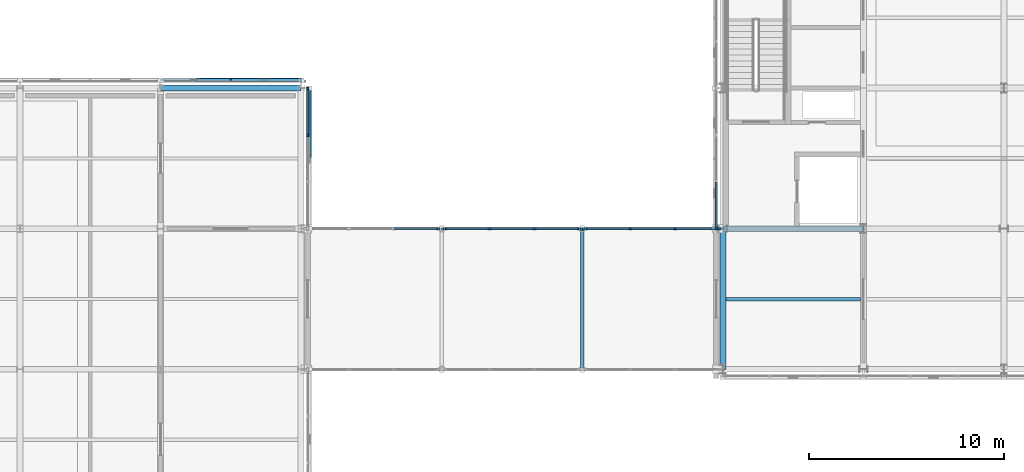
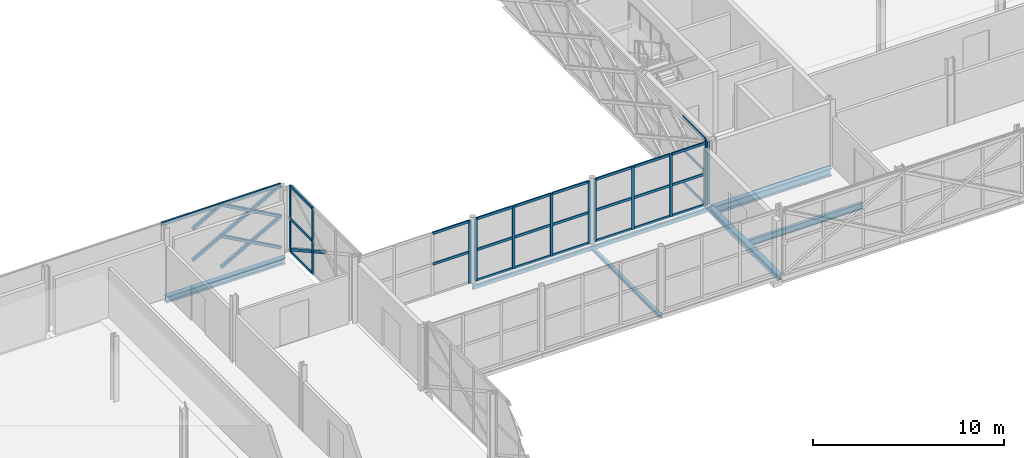
# One storey, part 56 of 146: 48 members, 7 beams, 5 elements without a shape of their own.
"""IFC4 building model written with IfcOpenShell, lengths in metres."""

from ifc_helpers import new_model, si_unit, direction, frame, origin, origin_2d, place, context, subcontext, project, spatial, rectangle, hollow_rectangle, i_section, extrude, material, material_profile, profile_set, type_object, element, aggregate, save


model = new_model("IFC4")

# Units and contexts
model_context = context("Model", 3, precision=1e-05, world=origin(), true_north=direction((0.0, 1.0)))
body_context = subcontext(model_context, "Body", "Model", "MODEL_VIEW")
ifc_project = project(units=[si_unit("LENGTHUNIT", "METRE"), si_unit("AREAUNIT", "SQUARE_METRE"), si_unit("VOLUMEUNIT", "CUBIC_METRE"), si_unit("PLANEANGLEUNIT", "RADIAN"), si_unit("MASSUNIT", "GRAM", prefix="KILO")], contexts=[model_context])

# Site, building, storey
site_placement = place(None, origin())
site = spatial("IfcSite", under=ifc_project, at=site_placement, CompositionType="ELEMENT")
building_placement = place(site_placement, origin())
building = spatial("IfcBuilding", under=site, at=building_placement, Name="Zlatovets Crest Museum", CompositionType="ELEMENT")
storey_placement = place(building_placement, frame((0.0, 0.0, 4.5)))
storey = spatial("IfcBuildingStorey", under=building, at=storey_placement, Name="L01", CompositionType="ELEMENT", Elevation=4.5)

# Beams
ifc_material_1 = material(Name="Structural steel S355J2", Category="steel")
ifc_material_profile_1 = material_profile(ifc_material_1, i_section(OverallWidth=0.300048828125, OverallDepth=0.489990234375, WebThickness=0.011962890625, FlangeThickness=0.02294921875, FilletRadius=0.027099609375, at=origin_2d()), Name="HEA 500")
ifc_profile_set_1 = profile_set([ifc_material_profile_1], Name="Structural steel S355J2")
beam_type_1 = type_object("IfcBeamType", Name="Beam_B-01", PredefinedType="BEAM", material=ifc_profile_set_1)
beam_1_placement = place(storey_placement, frame((57.60009765625, 93.60009765625, -0.465087890625), z_axis=(1.0, 0.0, 0.0), x_axis=(0.0, 1.0, 0.0)))
element("IfcBeam", 1, at=beam_1_placement, inside=storey, type_object=beam_type_1, Name="V1 L01 Primary Girder B-01", PredefinedType="BEAM", context=body_context, shape_type="SweptSolid", body=[
    extrude(i_section(OverallWidth=0.300048828125, OverallDepth=0.489990234375, WebThickness=0.011962890625, FlangeThickness=0.02294921875, FilletRadius=0.027099609375, at=origin_2d()), origin(), (0.0, 0.0, 1.0), 7.199951171875),
])
ifc_material_profile_2 = material_profile(ifc_material_1, i_section(OverallWidth=0.300048828125, OverallDepth=0.389892578125, WebThickness=0.010986328125, FlangeThickness=0.01904296875, FilletRadius=0.027099609375, at=origin_2d()), Name="HEA 400")
ifc_profile_set_2 = profile_set([ifc_material_profile_2], Name="Structural steel S355J2")
beam_type_2 = type_object("IfcBeamType", Name="Beam_B-02", PredefinedType="BEAM", material=ifc_profile_set_2)
beam_2_placement = place(storey_placement, frame((28.800048828125, 100.800048828125, -0.4150390625), z_axis=(1.0, 0.0, 0.0), x_axis=(0.0, 1.0, 0.0)))
element("IfcBeam", 2, at=beam_2_placement, inside=storey, type_object=beam_type_2, Name="V4 L01 Primary Girder B-02", PredefinedType="BEAM", context=body_context, shape_type="SweptSolid", body=[
    extrude(i_section(OverallWidth=0.300048828125, OverallDepth=0.389892578125, WebThickness=0.010986328125, FlangeThickness=0.01904296875, FilletRadius=0.027099609375, at=origin_2d()), origin(), (0.0, 0.0, 1.0), 7.199951171875),
])
ifc_material_profile_3 = material_profile(ifc_material_1, i_section(OverallWidth=0.300048828125, OverallDepth=0.35009765625, WebThickness=0.010009765625, FlangeThickness=0.017578125, FilletRadius=0.027099609375, at=origin_2d()), Name="HEA 360")
ifc_profile_set_3 = profile_set([ifc_material_profile_3], Name="Structural steel S355J2")
beam_type_3 = type_object("IfcBeamType", Name="Beam_B-03", PredefinedType="BEAM", material=ifc_profile_set_3)
beam_3_placement = place(storey_placement, frame((57.60009765625, 86.39990234375, -0.39501953125), z_axis=(0.0, 1.0, 0.0), x_axis=(-1.0, 0.0, 0.0)))
element("IfcBeam", 3, at=beam_3_placement, inside=storey, type_object=beam_type_3, Name="V1 L01 Grid Beam B-03", PredefinedType="BEAM", context=body_context, shape_type="SweptSolid", body=[
    extrude(i_section(OverallWidth=0.300048828125, OverallDepth=0.35009765625, WebThickness=0.010009765625, FlangeThickness=0.017578125, FilletRadius=0.027099609375, at=origin_2d()), origin(), (0.0, 0.0, 1.0), 7.2001953125),
])
ifc_material_profile_4 = material_profile(ifc_material_1, i_section(OverallWidth=0.199951171875, OverallDepth=0.18994140625, WebThickness=0.006591796875, FlangeThickness=0.010009765625, FilletRadius=0.01806640625, at=origin_2d()), Name="HEA 200")
ifc_profile_set_4 = profile_set([ifc_material_profile_4], Name="Structural steel S355J2")
beam_type_4 = type_object("IfcBeamType", Name="Beam_B-15", PredefinedType="BEAM", material=ifc_profile_set_4)
beam_4_placement = place(storey_placement, frame((50.39990234375, 86.39990234375, -0.344970703125), z_axis=(0.0, 1.0, 0.0), x_axis=(-1.0, 0.0, 0.0)))
element("IfcBeam", 4, at=beam_4_placement, inside=storey, type_object=beam_type_4, Name="Northwest Crest Glazed Link Bridge L01 Cross Beam", PredefinedType="BEAM", context=body_context, shape_type="SweptSolid", body=[
    extrude(i_section(OverallWidth=0.199951171875, OverallDepth=0.18994140625, WebThickness=0.006591796875, FlangeThickness=0.010009765625, FilletRadius=0.01806640625, at=origin_2d()), origin(), (0.0, 0.0, 1.0), 7.2001953125),
])
ifc_material_profile_5 = material_profile(ifc_material_1, hollow_rectangle(XDim=0.14990234375, YDim=0.25, WallThickness=0.010009765625, InnerFilletRadius=0.010009765625, OuterFilletRadius=0.02001953125, at=origin_2d()), Name="RHS 150x250x10.0")
ifc_profile_set_5 = profile_set([ifc_material_profile_5], Name="Structural steel S355J2")
beam_type_5 = type_object("IfcBeamType", Name="Beam_BRG-03", PredefinedType="BEAM", material=ifc_profile_set_5)
beam_5_placement = place(storey_placement, frame((43.199951171875, 93.60009765625, -0.344970703125), z_axis=(1.0, 0.0, 0.0), x_axis=(0.0, 1.0, 0.0)))
element("IfcBeam", 5, at=beam_5_placement, inside=storey, type_object=beam_type_5, Name="Northwest Crest Glazed Link Bridge L01 Stringer Beam", PredefinedType="BEAM", context=body_context, shape_type="SweptSolid", body=[
    extrude(hollow_rectangle(XDim=0.14990234375, YDim=0.25, WallThickness=0.010009765625, InnerFilletRadius=0.010009765625, OuterFilletRadius=0.02001953125, at=origin_2d()), origin(), (0.0, 0.0, 1.0), 7.199951171875),
])
beam_6_placement = place(storey_placement, frame((50.39990234375, 93.60009765625, -0.344970703125), z_axis=(1.0, 0.0, 0.0), x_axis=(0.0, 1.0, 0.0)))
element("IfcBeam", 6, at=beam_6_placement, inside=storey, type_object=beam_type_5, Name="Northwest Crest Glazed Link Bridge L01 Stringer Beam", PredefinedType="BEAM", context=body_context, shape_type="SweptSolid", body=[
    extrude(hollow_rectangle(XDim=0.14990234375, YDim=0.25, WallThickness=0.010009765625, InnerFilletRadius=0.010009765625, OuterFilletRadius=0.02001953125, at=origin_2d()), origin(), (0.0, 0.0, 1.0), 7.2001953125),
])
ifc_material_profile_6 = material_profile(ifc_material_1, i_section(OverallWidth=0.179931640625, OverallDepth=0.39990234375, WebThickness=0.008544921875, FlangeThickness=0.013427734375, FilletRadius=0.02099609375, at=origin_2d()), Name="IPE 400")
ifc_profile_set_6 = profile_set([ifc_material_profile_6], Name="Structural steel S355J2")
beam_type_6 = type_object("IfcBeamType", Name="Beam_J-04", PredefinedType="JOIST", material=ifc_profile_set_6)
beam_7_placement = place(storey_placement, frame((57.75, 90.0, -0.419921875), z_axis=(1.0, 0.0, 0.0), x_axis=(0.0, 1.0, 0.0)))
element("IfcBeam", 7, at=beam_7_placement, inside=storey, type_object=beam_type_6, Name="V1 L01 Composite Joist J-04", PredefinedType="JOIST", context=body_context, shape_type="SweptSolid", body=[
    extrude(i_section(OverallWidth=0.179931640625, OverallDepth=0.39990234375, WebThickness=0.008544921875, FlangeThickness=0.013427734375, FilletRadius=0.02099609375, at=origin_2d()), origin(), (0.0, 0.0, 1.0), 6.89990234375),
])

# Curtain wall, member
ifc_material_2 = material(Name="Bronze-anodised aluminium and low-E triple glass", Category="aluminium")
curtain_wall_type_1 = type_object("IfcCurtainWallType", Name="CW_CW-V1-L01-M0", PredefinedType="NOTDEFINED", material=ifc_material_2)
curtain_wall_1_placement = place(storey_placement, origin())
curtain_wall_1 = element("IfcCurtainWall", 8, at=curtain_wall_1_placement, inside=storey, type_object=curtain_wall_type_1, Name="V1 L01 Expressed Core Glazed Facade", PredefinedType="NOTDEFINED")
ifc_material_3 = material(Name="Bronze-anodised aluminium EN AW-6060", Category="aluminium")
ifc_material_profile_7 = material_profile(ifc_material_3, rectangle(XDim=0.080078125, YDim=0.159912109375, at=origin_2d()), Name="ALU 80x160")
ifc_profile_set_7 = profile_set([ifc_material_profile_7], Name="Bronze-anodised aluminium EN AW-6060")
member_type_1 = type_object("IfcMemberType", Name="CWMull_M1", PredefinedType="MULLION", material=ifc_profile_set_7)
member_1_placement = place(storey_placement, frame((57.260009765625, 93.6298828125, 0.0), z_axis=(0.0, 0.0, 1.0), x_axis=(1.0, 0.0, 0.0)))
member_1 = element("IfcMember", 9, at=member_1_placement, type_object=member_type_1, Name="CW-V1-L01-M0 mullion 4", PredefinedType="MULLION", context=body_context, shape_type="SweptSolid", body=[
    extrude(rectangle(XDim=0.080078125, YDim=0.159912109375, at=origin_2d()), origin(), (0.0, 0.0, 1.0), 4.199951171875),
])

# Curtain wall, members
curtain_wall_type_2 = type_object("IfcCurtainWallType", Name="CW_CW-V4-L01-M2", PredefinedType="NOTDEFINED", material=ifc_material_2)
curtain_wall_2_placement = place(storey_placement, origin())
curtain_wall_2 = element("IfcCurtainWall", 10, at=curtain_wall_2_placement, inside=storey, type_object=curtain_wall_type_2, Name="V4 L01 Secession Foyer Clear Curtain Wall", PredefinedType="NOTDEFINED")
member_2_placement = place(storey_placement, frame((36.340087890625, 98.39990234375, 0.0), z_axis=(0.0, 0.0, 1.0), x_axis=(-1.0, 0.0, 0.0)))
member_2 = element("IfcMember", 11, at=member_2_placement, type_object=member_type_1, Name="CW-V4-L01-M2 mullion 3", PredefinedType="MULLION", context=body_context, shape_type="SweptSolid", body=[
    extrude(rectangle(XDim=0.080078125, YDim=0.159912109375, at=origin_2d()), origin(), (0.0, 0.0, 1.0), 4.199951171875),
])
member_3_placement = place(storey_placement, frame((36.340087890625, 100.77001953125, 0.0), z_axis=(0.0, 0.0, 1.0), x_axis=(-1.0, 0.0, 0.0)))
member_3 = element("IfcMember", 12, at=member_3_placement, type_object=member_type_1, Name="CW-V4-L01-M2 mullion 4", PredefinedType="MULLION", context=body_context, shape_type="SweptSolid", body=[
    extrude(rectangle(XDim=0.080078125, YDim=0.159912109375, at=origin_2d()), origin(), (0.0, 0.0, 1.0), 4.199951171875),
])

# Curtain wall, member
curtain_wall_type_3 = type_object("IfcCurtainWallType", Name="CW_CW-BR3-L01-S69", PredefinedType="NOTDEFINED", material=ifc_material_2)
curtain_wall_3_placement = place(storey_placement, origin())
curtain_wall_3 = element("IfcCurtainWall", 13, at=curtain_wall_3_placement, inside=storey, type_object=curtain_wall_type_3, Name="Northwest Crest Glazed Link Bridge L01 Glazed Bridge Curtain Wall", PredefinedType="NOTDEFINED")
member_4_placement = place(storey_placement, frame((43.02001953125, 93.60009765625, 0.0), z_axis=(0.0, 0.0, 1.0), x_axis=(0.0, 1.0, 0.0)))
member_4 = element("IfcMember", 14, at=member_4_placement, type_object=member_type_1, Name="CW-BR3-L01-S69 mullion 4", PredefinedType="MULLION", context=body_context, shape_type="SweptSolid", body=[
    extrude(rectangle(XDim=0.080078125, YDim=0.159912109375, at=origin_2d()), origin(), (0.0, 0.0, 1.0), 3.97998046875),
])

# Curtain wall, members
curtain_wall_4_placement = place(storey_placement, origin())
curtain_wall_4 = element("IfcCurtainWall", 15, at=curtain_wall_4_placement, inside=storey, type_object=curtain_wall_type_3, Name="Northwest Crest Glazed Link Bridge L01 Glazed Bridge Curtain Wall", PredefinedType="NOTDEFINED")
member_5_placement = place(storey_placement, frame((43.3798828125, 93.60009765625, 0.0), z_axis=(0.0, 0.0, 1.0), x_axis=(0.0, 1.0, 0.0)))
member_5 = element("IfcMember", 16, at=member_5_placement, type_object=member_type_1, Name="CW-BR3-L01-S69 mullion 1", PredefinedType="MULLION", context=body_context, shape_type="SweptSolid", body=[
    extrude(rectangle(XDim=0.080078125, YDim=0.159912109375, at=origin_2d()), origin(), (0.0, 0.0, 1.0), 3.97998046875),
])
member_6_placement = place(storey_placement, frame((45.64990234375, 93.60009765625, 0.0), z_axis=(0.0, 0.0, 1.0), x_axis=(0.0, 1.0, 0.0)))
member_6 = element("IfcMember", 17, at=member_6_placement, type_object=member_type_1, Name="CW-BR3-L01-S69 mullion 2", PredefinedType="MULLION", context=body_context, shape_type="SweptSolid", body=[
    extrude(rectangle(XDim=0.080078125, YDim=0.159912109375, at=origin_2d()), origin(), (0.0, 0.0, 1.0), 3.97998046875),
])
member_7_placement = place(storey_placement, frame((47.949951171875, 93.60009765625, 0.0), z_axis=(0.0, 0.0, 1.0), x_axis=(0.0, 1.0, 0.0)))
member_7 = element("IfcMember", 18, at=member_7_placement, type_object=member_type_1, Name="CW-BR3-L01-S69 mullion 3", PredefinedType="MULLION", context=body_context, shape_type="SweptSolid", body=[
    extrude(rectangle(XDim=0.080078125, YDim=0.159912109375, at=origin_2d()), origin(), (0.0, 0.0, 1.0), 3.97998046875),
])
member_8_placement = place(storey_placement, frame((50.219970703125, 93.60009765625, 0.0), z_axis=(0.0, 0.0, 1.0), x_axis=(0.0, 1.0, 0.0)))
member_8 = element("IfcMember", 19, at=member_8_placement, type_object=member_type_1, Name="CW-BR3-L01-S69 mullion 4", PredefinedType="MULLION", context=body_context, shape_type="SweptSolid", body=[
    extrude(rectangle(XDim=0.080078125, YDim=0.159912109375, at=origin_2d()), origin(), (0.0, 0.0, 1.0), 3.97998046875),
])

curtain_wall_5_placement = place(storey_placement, origin())
curtain_wall_5 = element("IfcCurtainWall", 20, at=curtain_wall_5_placement, inside=storey, type_object=curtain_wall_type_3, Name="Northwest Crest Glazed Link Bridge L01 Glazed Bridge Curtain Wall", PredefinedType="NOTDEFINED")
member_9_placement = place(storey_placement, frame((50.580078125, 93.60009765625, 0.0), z_axis=(0.0, 0.0, 1.0), x_axis=(0.0, 1.0, 0.0)))
member_9 = element("IfcMember", 21, at=member_9_placement, type_object=member_type_1, Name="CW-BR3-L01-S69 mullion 1", PredefinedType="MULLION", context=body_context, shape_type="SweptSolid", body=[
    extrude(rectangle(XDim=0.080078125, YDim=0.159912109375, at=origin_2d()), origin(), (0.0, 0.0, 1.0), 3.97998046875),
])
member_10_placement = place(storey_placement, frame((52.85009765625, 93.60009765625, 0.0), z_axis=(0.0, 0.0, 1.0), x_axis=(0.0, 1.0, 0.0)))
member_10 = element("IfcMember", 22, at=member_10_placement, type_object=member_type_1, Name="CW-BR3-L01-S69 mullion 2", PredefinedType="MULLION", context=body_context, shape_type="SweptSolid", body=[
    extrude(rectangle(XDim=0.080078125, YDim=0.159912109375, at=origin_2d()), origin(), (0.0, 0.0, 1.0), 3.97998046875),
])
member_11_placement = place(storey_placement, frame((55.14990234375, 93.60009765625, 0.0), z_axis=(0.0, 0.0, 1.0), x_axis=(0.0, 1.0, 0.0)))
member_11 = element("IfcMember", 23, at=member_11_placement, type_object=member_type_1, Name="CW-BR3-L01-S69 mullion 3", PredefinedType="MULLION", context=body_context, shape_type="SweptSolid", body=[
    extrude(rectangle(XDim=0.080078125, YDim=0.159912109375, at=origin_2d()), origin(), (0.0, 0.0, 1.0), 3.97998046875),
])
member_12_placement = place(storey_placement, frame((57.419921875, 93.60009765625, 0.0), z_axis=(0.0, 0.0, 1.0), x_axis=(0.0, 1.0, 0.0)))
member_12 = element("IfcMember", 24, at=member_12_placement, type_object=member_type_1, Name="CW-BR3-L01-S69 mullion 4", PredefinedType="MULLION", context=body_context, shape_type="SweptSolid", body=[
    extrude(rectangle(XDim=0.080078125, YDim=0.159912109375, at=origin_2d()), origin(), (0.0, 0.0, 1.0), 3.97998046875),
])

# Member
ifc_material_profile_8 = material_profile(ifc_material_3, rectangle(XDim=0.080078125, YDim=0.159912109375, at=origin_2d()), Name="ALU 80x160")
ifc_profile_set_8 = profile_set([ifc_material_profile_8], Name="Bronze-anodised aluminium EN AW-6060")
member_type_2 = type_object("IfcMemberType", Name="CWTrans_T1", PredefinedType="USERDEFINED", material=ifc_profile_set_8)
member_13_placement = place(storey_placement, frame((57.260009765625, 95.969970703125, 0.030029296875), z_axis=(0.0, -1.0, 0.0), x_axis=(1.0, 0.0, 0.0)))
member_13 = element("IfcMember", 25, at=member_13_placement, type_object=member_type_2, Name="CW-V1-L01-M0 transom 3.1", ObjectType="TRANSOM", PredefinedType="USERDEFINED", context=body_context, shape_type="SweptSolid", body=[
    extrude(rectangle(XDim=0.080078125, YDim=0.159912109375, at=origin_2d()), origin(), (0.0, 0.0, 1.0), 2.31005859375),
])

member_14_placement = place(storey_placement, frame((57.260009765625, 95.969970703125, 2.10009765625), z_axis=(0.0, -1.0, 0.0), x_axis=(1.0, 0.0, 0.0)))
member_14 = element("IfcMember", 26, at=member_14_placement, type_object=member_type_2, Name="CW-V1-L01-M0 transom 3.2", ObjectType="TRANSOM", PredefinedType="USERDEFINED", context=body_context, shape_type="SweptSolid", body=[
    extrude(rectangle(XDim=0.080078125, YDim=0.159912109375, at=origin_2d()), origin(), (0.0, 0.0, 1.0), 2.31005859375),
])

member_15_placement = place(storey_placement, frame((57.260009765625, 95.969970703125, 4.169921875), z_axis=(0.0, -1.0, 0.0), x_axis=(1.0, 0.0, 0.0)))
member_15 = element("IfcMember", 27, at=member_15_placement, type_object=member_type_2, Name="CW-V1-L01-M0 transom 3.3", ObjectType="TRANSOM", PredefinedType="USERDEFINED", context=body_context, shape_type="SweptSolid", body=[
    extrude(rectangle(XDim=0.080078125, YDim=0.159912109375, at=origin_2d()), origin(), (0.0, 0.0, 1.0), 2.31005859375),
])

aggregate(curtain_wall_1, [member_1, member_13, member_14, member_15])

member_16_placement = place(storey_placement, frame((36.340087890625, 98.429931640625, 0.030029296875), z_axis=(0.0, 1.0, 0.0), x_axis=(-1.0, 0.0, 0.0)))
member_16 = element("IfcMember", 28, at=member_16_placement, type_object=member_type_2, Name="CW-V4-L01-M2 transom 3.1", ObjectType="TRANSOM", PredefinedType="USERDEFINED", context=body_context, shape_type="SweptSolid", body=[
    extrude(rectangle(XDim=0.080078125, YDim=0.159912109375, at=origin_2d()), origin(), (0.0, 0.0, 1.0), 2.31005859375),
])

member_17_placement = place(storey_placement, frame((36.340087890625, 98.429931640625, 2.10009765625), z_axis=(0.0, 1.0, 0.0), x_axis=(-1.0, 0.0, 0.0)))
member_17 = element("IfcMember", 29, at=member_17_placement, type_object=member_type_2, Name="CW-V4-L01-M2 transom 3.2", ObjectType="TRANSOM", PredefinedType="USERDEFINED", context=body_context, shape_type="SweptSolid", body=[
    extrude(rectangle(XDim=0.080078125, YDim=0.159912109375, at=origin_2d()), origin(), (0.0, 0.0, 1.0), 2.31005859375),
])

member_18_placement = place(storey_placement, frame((36.340087890625, 98.429931640625, 4.169921875), z_axis=(0.0, 1.0, 0.0), x_axis=(-1.0, 0.0, 0.0)))
member_18 = element("IfcMember", 30, at=member_18_placement, type_object=member_type_2, Name="CW-V4-L01-M2 transom 3.3", ObjectType="TRANSOM", PredefinedType="USERDEFINED", context=body_context, shape_type="SweptSolid", body=[
    extrude(rectangle(XDim=0.080078125, YDim=0.159912109375, at=origin_2d()), origin(), (0.0, 0.0, 1.0), 2.31005859375),
])

aggregate(curtain_wall_2, [member_2, member_3, member_16, member_17, member_18])

member_19_placement = place(storey_placement, frame((40.780029296875, 93.60009765625, 1.989990234375), z_axis=(1.0, 0.0, 0.0), x_axis=(0.0, 1.0, 0.0)))
member_19 = element("IfcMember", 31, at=member_19_placement, type_object=member_type_2, Name="CW-BR3-L01-S69 transom 3.2", ObjectType="TRANSOM", PredefinedType="USERDEFINED", context=body_context, shape_type="SweptSolid", body=[
    extrude(rectangle(XDim=0.080078125, YDim=0.159912109375, at=origin_2d()), origin(), (0.0, 0.0, 1.0), 2.2099609375),
])

member_20_placement = place(storey_placement, frame((40.780029296875, 93.60009765625, 3.949951171875), z_axis=(1.0, 0.0, 0.0), x_axis=(0.0, 1.0, 0.0)))
member_20 = element("IfcMember", 32, at=member_20_placement, type_object=member_type_2, Name="CW-BR3-L01-S69 transom 3.3", ObjectType="TRANSOM", PredefinedType="USERDEFINED", context=body_context, shape_type="SweptSolid", body=[
    extrude(rectangle(XDim=0.080078125, YDim=0.159912109375, at=origin_2d()), origin(), (0.0, 0.0, 1.0), 2.2099609375),
])

aggregate(curtain_wall_3, [member_4, member_19, member_20])

member_21_placement = place(storey_placement, frame((43.409912109375, 93.60009765625, 0.030029296875), z_axis=(1.0, 0.0, 0.0), x_axis=(0.0, 1.0, 0.0)))
member_21 = element("IfcMember", 33, at=member_21_placement, type_object=member_type_2, Name="CW-BR3-L01-S69 transom 1.1", ObjectType="TRANSOM", PredefinedType="USERDEFINED", context=body_context, shape_type="SweptSolid", body=[
    extrude(rectangle(XDim=0.080078125, YDim=0.159912109375, at=origin_2d()), origin(), (0.0, 0.0, 1.0), 2.210205078125),
])

member_22_placement = place(storey_placement, frame((43.409912109375, 93.60009765625, 1.989990234375), z_axis=(1.0, 0.0, 0.0), x_axis=(0.0, 1.0, 0.0)))
member_22 = element("IfcMember", 34, at=member_22_placement, type_object=member_type_2, Name="CW-BR3-L01-S69 transom 1.2", ObjectType="TRANSOM", PredefinedType="USERDEFINED", context=body_context, shape_type="SweptSolid", body=[
    extrude(rectangle(XDim=0.080078125, YDim=0.159912109375, at=origin_2d()), origin(), (0.0, 0.0, 1.0), 2.210205078125),
])

member_23_placement = place(storey_placement, frame((43.409912109375, 93.60009765625, 3.949951171875), z_axis=(1.0, 0.0, 0.0), x_axis=(0.0, 1.0, 0.0)))
member_23 = element("IfcMember", 35, at=member_23_placement, type_object=member_type_2, Name="CW-BR3-L01-S69 transom 1.3", ObjectType="TRANSOM", PredefinedType="USERDEFINED", context=body_context, shape_type="SweptSolid", body=[
    extrude(rectangle(XDim=0.080078125, YDim=0.159912109375, at=origin_2d()), origin(), (0.0, 0.0, 1.0), 2.210205078125),
])

member_24_placement = place(storey_placement, frame((45.679931640625, 93.60009765625, 0.030029296875), z_axis=(1.0, 0.0, 0.0), x_axis=(0.0, 1.0, 0.0)))
member_24 = element("IfcMember", 36, at=member_24_placement, type_object=member_type_2, Name="CW-BR3-L01-S69 transom 2.1", ObjectType="TRANSOM", PredefinedType="USERDEFINED", context=body_context, shape_type="SweptSolid", body=[
    extrude(rectangle(XDim=0.080078125, YDim=0.159912109375, at=origin_2d()), origin(), (0.0, 0.0, 1.0), 2.239990234375),
])

member_25_placement = place(storey_placement, frame((45.679931640625, 93.60009765625, 1.989990234375), z_axis=(1.0, 0.0, 0.0), x_axis=(0.0, 1.0, 0.0)))
member_25 = element("IfcMember", 37, at=member_25_placement, type_object=member_type_2, Name="CW-BR3-L01-S69 transom 2.2", ObjectType="TRANSOM", PredefinedType="USERDEFINED", context=body_context, shape_type="SweptSolid", body=[
    extrude(rectangle(XDim=0.080078125, YDim=0.159912109375, at=origin_2d()), origin(), (0.0, 0.0, 1.0), 2.239990234375),
])

member_26_placement = place(storey_placement, frame((45.679931640625, 93.60009765625, 3.949951171875), z_axis=(1.0, 0.0, 0.0), x_axis=(0.0, 1.0, 0.0)))
member_26 = element("IfcMember", 38, at=member_26_placement, type_object=member_type_2, Name="CW-BR3-L01-S69 transom 2.3", ObjectType="TRANSOM", PredefinedType="USERDEFINED", context=body_context, shape_type="SweptSolid", body=[
    extrude(rectangle(XDim=0.080078125, YDim=0.159912109375, at=origin_2d()), origin(), (0.0, 0.0, 1.0), 2.239990234375),
])

member_27_placement = place(storey_placement, frame((47.97998046875, 93.60009765625, 0.030029296875), z_axis=(1.0, 0.0, 0.0), x_axis=(0.0, 1.0, 0.0)))
member_27 = element("IfcMember", 39, at=member_27_placement, type_object=member_type_2, Name="CW-BR3-L01-S69 transom 3.1", ObjectType="TRANSOM", PredefinedType="USERDEFINED", context=body_context, shape_type="SweptSolid", body=[
    extrude(rectangle(XDim=0.080078125, YDim=0.159912109375, at=origin_2d()), origin(), (0.0, 0.0, 1.0), 2.2099609375),
])

member_28_placement = place(storey_placement, frame((47.97998046875, 93.60009765625, 1.989990234375), z_axis=(1.0, 0.0, 0.0), x_axis=(0.0, 1.0, 0.0)))
member_28 = element("IfcMember", 40, at=member_28_placement, type_object=member_type_2, Name="CW-BR3-L01-S69 transom 3.2", ObjectType="TRANSOM", PredefinedType="USERDEFINED", context=body_context, shape_type="SweptSolid", body=[
    extrude(rectangle(XDim=0.080078125, YDim=0.159912109375, at=origin_2d()), origin(), (0.0, 0.0, 1.0), 2.2099609375),
])

member_29_placement = place(storey_placement, frame((47.97998046875, 93.60009765625, 3.949951171875), z_axis=(1.0, 0.0, 0.0), x_axis=(0.0, 1.0, 0.0)))
member_29 = element("IfcMember", 41, at=member_29_placement, type_object=member_type_2, Name="CW-BR3-L01-S69 transom 3.3", ObjectType="TRANSOM", PredefinedType="USERDEFINED", context=body_context, shape_type="SweptSolid", body=[
    extrude(rectangle(XDim=0.080078125, YDim=0.159912109375, at=origin_2d()), origin(), (0.0, 0.0, 1.0), 2.2099609375),
])

aggregate(curtain_wall_4, [member_5, member_6, member_7, member_8, member_21, member_22, member_23, member_24, member_25, member_26, member_27, member_28, member_29])

member_30_placement = place(storey_placement, frame((50.610107421875, 93.60009765625, 0.030029296875), z_axis=(1.0, 0.0, 0.0), x_axis=(0.0, 1.0, 0.0)))
member_30 = element("IfcMember", 42, at=member_30_placement, type_object=member_type_2, Name="CW-BR3-L01-S69 transom 1.1", ObjectType="TRANSOM", PredefinedType="USERDEFINED", context=body_context, shape_type="SweptSolid", body=[
    extrude(rectangle(XDim=0.080078125, YDim=0.159912109375, at=origin_2d()), origin(), (0.0, 0.0, 1.0), 2.2099609375),
])

member_31_placement = place(storey_placement, frame((50.610107421875, 93.60009765625, 1.989990234375), z_axis=(1.0, 0.0, 0.0), x_axis=(0.0, 1.0, 0.0)))
member_31 = element("IfcMember", 43, at=member_31_placement, type_object=member_type_2, Name="CW-BR3-L01-S69 transom 1.2", ObjectType="TRANSOM", PredefinedType="USERDEFINED", context=body_context, shape_type="SweptSolid", body=[
    extrude(rectangle(XDim=0.080078125, YDim=0.159912109375, at=origin_2d()), origin(), (0.0, 0.0, 1.0), 2.2099609375),
])

member_32_placement = place(storey_placement, frame((50.610107421875, 93.60009765625, 3.949951171875), z_axis=(1.0, 0.0, 0.0), x_axis=(0.0, 1.0, 0.0)))
member_32 = element("IfcMember", 44, at=member_32_placement, type_object=member_type_2, Name="CW-BR3-L01-S69 transom 1.3", ObjectType="TRANSOM", PredefinedType="USERDEFINED", context=body_context, shape_type="SweptSolid", body=[
    extrude(rectangle(XDim=0.080078125, YDim=0.159912109375, at=origin_2d()), origin(), (0.0, 0.0, 1.0), 2.2099609375),
])

member_33_placement = place(storey_placement, frame((52.8798828125, 93.60009765625, 0.030029296875), z_axis=(1.0, 0.0, 0.0), x_axis=(0.0, 1.0, 0.0)))
member_33 = element("IfcMember", 45, at=member_33_placement, type_object=member_type_2, Name="CW-BR3-L01-S69 transom 2.1", ObjectType="TRANSOM", PredefinedType="USERDEFINED", context=body_context, shape_type="SweptSolid", body=[
    extrude(rectangle(XDim=0.080078125, YDim=0.159912109375, at=origin_2d()), origin(), (0.0, 0.0, 1.0), 2.240234375),
])

member_34_placement = place(storey_placement, frame((52.8798828125, 93.60009765625, 1.989990234375), z_axis=(1.0, 0.0, 0.0), x_axis=(0.0, 1.0, 0.0)))
member_34 = element("IfcMember", 46, at=member_34_placement, type_object=member_type_2, Name="CW-BR3-L01-S69 transom 2.2", ObjectType="TRANSOM", PredefinedType="USERDEFINED", context=body_context, shape_type="SweptSolid", body=[
    extrude(rectangle(XDim=0.080078125, YDim=0.159912109375, at=origin_2d()), origin(), (0.0, 0.0, 1.0), 2.240234375),
])

member_35_placement = place(storey_placement, frame((52.8798828125, 93.60009765625, 3.949951171875), z_axis=(1.0, 0.0, 0.0), x_axis=(0.0, 1.0, 0.0)))
member_35 = element("IfcMember", 47, at=member_35_placement, type_object=member_type_2, Name="CW-BR3-L01-S69 transom 2.3", ObjectType="TRANSOM", PredefinedType="USERDEFINED", context=body_context, shape_type="SweptSolid", body=[
    extrude(rectangle(XDim=0.080078125, YDim=0.159912109375, at=origin_2d()), origin(), (0.0, 0.0, 1.0), 2.240234375),
])

member_36_placement = place(storey_placement, frame((55.179931640625, 93.60009765625, 0.030029296875), z_axis=(1.0, 0.0, 0.0), x_axis=(0.0, 1.0, 0.0)))
member_36 = element("IfcMember", 48, at=member_36_placement, type_object=member_type_2, Name="CW-BR3-L01-S69 transom 3.1", ObjectType="TRANSOM", PredefinedType="USERDEFINED", context=body_context, shape_type="SweptSolid", body=[
    extrude(rectangle(XDim=0.080078125, YDim=0.159912109375, at=origin_2d()), origin(), (0.0, 0.0, 1.0), 2.2099609375),
])

member_37_placement = place(storey_placement, frame((55.179931640625, 93.60009765625, 1.989990234375), z_axis=(1.0, 0.0, 0.0), x_axis=(0.0, 1.0, 0.0)))
member_37 = element("IfcMember", 49, at=member_37_placement, type_object=member_type_2, Name="CW-BR3-L01-S69 transom 3.2", ObjectType="TRANSOM", PredefinedType="USERDEFINED", context=body_context, shape_type="SweptSolid", body=[
    extrude(rectangle(XDim=0.080078125, YDim=0.159912109375, at=origin_2d()), origin(), (0.0, 0.0, 1.0), 2.2099609375),
])

member_38_placement = place(storey_placement, frame((55.179931640625, 93.60009765625, 3.949951171875), z_axis=(1.0, 0.0, 0.0), x_axis=(0.0, 1.0, 0.0)))
member_38 = element("IfcMember", 50, at=member_38_placement, type_object=member_type_2, Name="CW-BR3-L01-S69 transom 3.3", ObjectType="TRANSOM", PredefinedType="USERDEFINED", context=body_context, shape_type="SweptSolid", body=[
    extrude(rectangle(XDim=0.080078125, YDim=0.159912109375, at=origin_2d()), origin(), (0.0, 0.0, 1.0), 2.2099609375),
])

aggregate(curtain_wall_5, [member_9, member_10, member_11, member_12, member_30, member_31, member_32, member_33, member_34, member_35, member_36, member_37, member_38])

# Members
ifc_material_4 = material(Name="Weathering bronze-steel S355J2W", Category="steel")
ifc_material_profile_9 = material_profile(ifc_material_4, hollow_rectangle(XDim=0.179931640625, YDim=0.179931640625, WallThickness=0.010009765625, InnerFilletRadius=0.010009765625, OuterFilletRadius=0.02001953125, at=origin_2d()), Name="SHS 180x180x10.0")
ifc_profile_set_9 = profile_set([ifc_material_profile_9], Name="Weathering bronze-steel S355J2W")
member_type_3 = type_object("IfcMemberType", Name="Lattice_XL-01", PredefinedType="BRACE", material=ifc_profile_set_9)
member_39_placement = place(storey_placement, frame((36.0, 101.219970703125, 0.10009765625), z_axis=(-0.874162868644, 0.0, 0.485632864501), x_axis=(0.0, -1.0, 0.0)))
element("IfcMember", 51, at=member_39_placement, inside=storey, type_object=member_type_3, Name="Continuous Bronze Lattice Diagonal", PredefinedType="BRACE", context=body_context, shape_type="SweptSolid", body=[
    extrude(hollow_rectangle(XDim=0.179931640625, YDim=0.179931640625, WallThickness=0.010009765625, InnerFilletRadius=0.010009765625, OuterFilletRadius=0.02001953125, at=origin_2d()), origin(), (0.0, 0.0, 1.0), 4.118408203125),
])
member_40_placement = place(storey_placement, frame((36.0, 101.219970703125, 2.10009765625), z_axis=(-0.874116234569, 0.0, -0.48571679862), x_axis=(0.0, -1.0, 0.0)))
element("IfcMember", 52, at=member_40_placement, inside=storey, type_object=member_type_3, Name="Split Crossing Bronze Lattice Diagonal Upper", PredefinedType="BRACE", context=body_context, shape_type="SweptSolid", body=[
    extrude(hollow_rectangle(XDim=0.179931640625, YDim=0.179931640625, WallThickness=0.010009765625, InnerFilletRadius=0.010009765625, OuterFilletRadius=0.02001953125, at=origin_2d()), origin(), (0.0, 0.0, 1.0), 1.96435546875),
])
for number, where, z_axis, x_axis, name in (
    (53, (34.116943359375, 101.219970703125, 1.053955078125), (-0.874169001841, 0.0, -0.485621824284), (0.0, -1.0, 0.0), "Split Crossing Bronze Lattice Diagonal Lower"),
    (54, (32.39990234375, 101.219970703125, 2.10009765625), (-0.874086907708, 0.0, -0.485769572713), (0.0, -1.0, 0.0), "Split Crossing Bronze Lattice Diagonal Upper"),
):
    element("IfcMember", number, at=place(storey_placement, frame(where, z_axis=z_axis, x_axis=x_axis)), inside=storey, type_object=member_type_3, Name=name, PredefinedType="BRACE", context=body_context, shape_type="SweptSolid", body=[
        extrude(hollow_rectangle(XDim=0.179931640625, YDim=0.179931640625, WallThickness=0.010009765625, InnerFilletRadius=0.010009765625, OuterFilletRadius=0.02001953125, at=origin_2d()), origin(), (0.0, 0.0, 1.0), 1.964111328125),
    ])
member_41_placement = place(storey_placement, frame((36.0, 101.219970703125, 2.10009765625), z_axis=(-0.874162868644, 0.0, 0.485632864501), x_axis=(0.0, -1.0, 0.0)))
element("IfcMember", 55, at=member_41_placement, inside=storey, type_object=member_type_3, Name="Continuous Bronze Lattice Diagonal", PredefinedType="BRACE", context=body_context, shape_type="SweptSolid", body=[
    extrude(hollow_rectangle(XDim=0.179931640625, YDim=0.179931640625, WallThickness=0.010009765625, InnerFilletRadius=0.010009765625, OuterFilletRadius=0.02001953125, at=origin_2d()), origin(), (0.0, 0.0, 1.0), 4.118408203125),
])
member_42_placement = place(storey_placement, frame((36.0, 101.219970703125, 4.10009765625), z_axis=(-0.874116234569, 0.0, -0.48571679862), x_axis=(0.0, -1.0, 0.0)))
element("IfcMember", 56, at=member_42_placement, inside=storey, type_object=member_type_3, Name="Split Crossing Bronze Lattice Diagonal Upper", PredefinedType="BRACE", context=body_context, shape_type="SweptSolid", body=[
    extrude(hollow_rectangle(XDim=0.179931640625, YDim=0.179931640625, WallThickness=0.010009765625, InnerFilletRadius=0.010009765625, OuterFilletRadius=0.02001953125, at=origin_2d()), origin(), (0.0, 0.0, 1.0), 1.96435546875),
])
for number, where, z_axis, x_axis, name in (
    (57, (34.116943359375, 101.219970703125, 3.053955078125), (-0.874169001841, 0.0, -0.485621824284), (0.0, -1.0, 0.0), "Split Crossing Bronze Lattice Diagonal Lower"),
    (58, (32.39990234375, 101.219970703125, 4.10009765625), (-0.874086907708, 0.0, -0.485769572713), (0.0, -1.0, 0.0), "Split Crossing Bronze Lattice Diagonal Upper"),
):
    element("IfcMember", number, at=place(storey_placement, frame(where, z_axis=z_axis, x_axis=x_axis)), inside=storey, type_object=member_type_3, Name=name, PredefinedType="BRACE", context=body_context, shape_type="SweptSolid", body=[
        extrude(hollow_rectangle(XDim=0.179931640625, YDim=0.179931640625, WallThickness=0.010009765625, InnerFilletRadius=0.010009765625, OuterFilletRadius=0.02001953125, at=origin_2d()), origin(), (0.0, 0.0, 1.0), 1.964111328125),
    ])
ifc_material_profile_10 = material_profile(ifc_material_4, hollow_rectangle(XDim=0.199951171875, YDim=0.199951171875, WallThickness=0.012451171875, InnerFilletRadius=0.012451171875, OuterFilletRadius=0.02490234375, at=origin_2d()), Name="SHS 200x200x12.5")
ifc_profile_set_10 = profile_set([ifc_material_profile_10], Name="Weathering bronze-steel S355J2W")
member_type_4 = type_object("IfcMemberType", Name="Lattice_XL-02", PredefinedType="BRACE", material=ifc_profile_set_10)
member_43_placement = place(storey_placement, frame((36.419921875, 97.282958984375, 2.053955078125), z_axis=(0.0, 0.874165862873, -0.485627474703), x_axis=(-1.0, 0.0, 0.0)))
element("IfcMember", 59, at=member_43_placement, inside=storey, type_object=member_type_4, Name="Split Crossing Bronze Lattice Diagonal Lower", PredefinedType="BRACE", context=body_context, shape_type="SweptSolid", body=[
    extrude(hollow_rectangle(XDim=0.199951171875, YDim=0.199951171875, WallThickness=0.012451171875, InnerFilletRadius=0.012451171875, OuterFilletRadius=0.02490234375, at=origin_2d()), origin(), (0.0, 0.0, 1.0), 4.0234375),
])
ifc_material_profile_11 = material_profile(ifc_material_4, hollow_rectangle(XDim=0.1201171875, YDim=0.239990234375, WallThickness=0.010009765625, InnerFilletRadius=0.010009765625, OuterFilletRadius=0.02001953125, at=origin_2d()), Name="RHS 120x240x10.0")
ifc_profile_set_11 = profile_set([ifc_material_profile_11], Name="Weathering bronze-steel S355J2W")
member_type_5 = type_object("IfcMemberType", Name="Lattice_XL-04", PredefinedType="CHORD", material=ifc_profile_set_11)
member_44_placement = place(storey_placement, frame((36.0, 101.219970703125, 4.10009765625), z_axis=(-1.0, 0.0, 0.0), x_axis=(0.0, -1.0, 0.0)))
element("IfcMember", 60, at=member_44_placement, inside=storey, type_object=member_type_5, Name="Art Nouveau Woven Cage Collector Ring Chord", PredefinedType="CHORD", context=body_context, shape_type="SweptSolid", body=[
    extrude(hollow_rectangle(XDim=0.1201171875, YDim=0.239990234375, WallThickness=0.010009765625, InnerFilletRadius=0.010009765625, OuterFilletRadius=0.02001953125, at=origin_2d()), origin(), (0.0, 0.0, 1.0), 7.199951171875),
])

save(model, "model.ifc")
